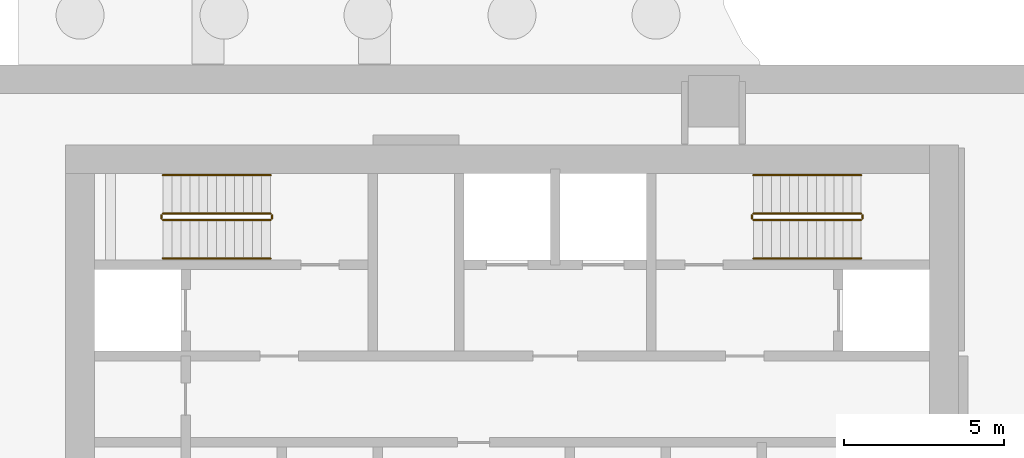
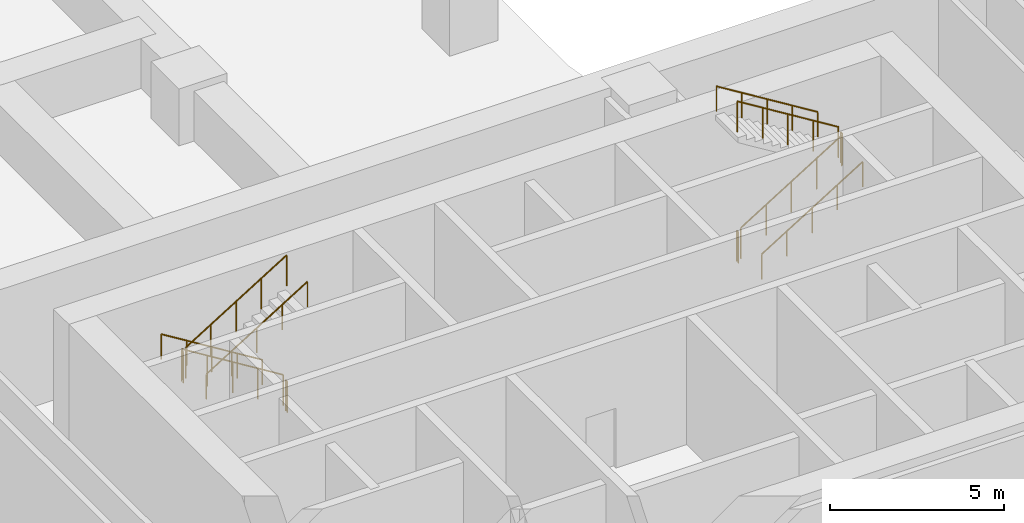
# One storey, part 13 of 14: 12 railings.
"""IFC4 building model written with IfcOpenShell, lengths in metres."""

from ifc_helpers import new_model, si_unit, direction, frame, origin, origin_2d, place, context, subcontext, project, spatial, circle, extrude, material, type_object, element, save


model = new_model("IFC4")

# Units and contexts
model_context = context("Model", 3, precision=1e-05, world=origin(), true_north=direction((0.0, 1.0)))
body_context = subcontext(model_context, "Body", "Model", "MODEL_VIEW")
ifc_project = project(units=[si_unit("LENGTHUNIT", "METRE"), si_unit("AREAUNIT", "SQUARE_METRE"), si_unit("VOLUMEUNIT", "CUBIC_METRE"), si_unit("PLANEANGLEUNIT", "RADIAN"), si_unit("MASSUNIT", "GRAM", prefix="KILO")], contexts=[model_context])

# Site, building, storey
site_placement = place(None, origin())
site = spatial("IfcSite", under=ifc_project, at=site_placement, CompositionType="ELEMENT")
building_placement = place(site_placement, origin())
building = spatial("IfcBuilding", under=site, at=building_placement, Name="Ogive Portal Towers", CompositionType="ELEMENT")
storey_placement = place(building_placement, frame((0.0, 0.0, -4.5)))
storey = spatial("IfcBuildingStorey", under=building, at=storey_placement, Name="B1", CompositionType="ELEMENT", Elevation=-4.5)

# Railings
ifc_material_1 = material(Name="Stainless steel balustrade", Category="steel")
railing_type_1 = type_object("IfcRailingType", Name="INT-GUARD", PredefinedType="GUARDRAIL", material=ifc_material_1)
railing_1_placement = place(storey_placement, frame((37.449951171875, 37.800048828125, 0.173095703125)))
element("IfcRailing", 1, at=railing_1_placement, inside=storey, type_object=railing_type_1, Name="B1 ST-A1 stair guard 1", PredefinedType="GUARDRAIL", context=body_context, shape_type="SweptSolid", body=[
    extrude(circle(Radius=0.02392578125, at=origin_2d()), frame((0.0, 0.0, 1.076171875), z_axis=(-0.850606129759, 0.0, 0.525803396734), x_axis=(0.0, -1.0, 0.0)), (0.0, 0.0, 1.0), 3.949951171875),
    extrude(circle(Radius=0.02099609375, at=origin_2d()), origin(), (0.0, 0.0, 1.0), 1.052001953125),
    extrude(circle(Radius=0.02099609375, at=origin_2d()), frame((-0.83984375, 0.0, 0.519287109375)), (0.0, 0.0, 1.0), 1.052001953125),
    extrude(circle(Radius=0.02099609375, at=origin_2d()), frame((-1.679931640625, 0.0, 1.03857421875)), (0.0, 0.0, 1.0), 1.052001953125),
    extrude(circle(Radius=0.02099609375, at=origin_2d()), frame((-2.52001953125, 0.0, 1.5576171875)), (0.0, 0.0, 1.0), 1.052001953125),
    extrude(circle(Radius=0.02099609375, at=origin_2d()), frame((-3.35986328125, 0.0, 2.076904296875)), (0.0, 0.0, 1.0), 1.052001953125),
])
railing_2_placement = place(storey_placement, frame((34.0400390625, 37.75, 2.25)))
element("IfcRailing", 2, at=railing_2_placement, inside=storey, type_object=railing_type_1, Name="B1 ST-A1 stair guard 2", PredefinedType="GUARDRAIL", context=body_context, shape_type="SweptSolid", body=[
    extrude(circle(Radius=0.02392578125, at=origin_2d()), frame((0.0, 0.0, 1.076171875), z_axis=(0.0, -1.0, 0.0), x_axis=(1.0, 0.0, 0.0)), (0.0, 0.0, 1.0), 0.10009765625),
    extrude(circle(Radius=0.02099609375, at=origin_2d()), origin(), (0.0, 0.0, 1.0), 1.052001953125),
    extrude(circle(Radius=0.02099609375, at=origin_2d()), frame((0.0, -0.10009765625, 0.0)), (0.0, 0.0, 1.0), 1.052001953125),
])
railing_3_placement = place(storey_placement, frame((34.090087890625, 37.60009765625, 2.423095703125)))
element("IfcRailing", 3, at=railing_3_placement, inside=storey, type_object=railing_type_1, Name="B1 ST-A1 stair guard 3", PredefinedType="GUARDRAIL", context=body_context, shape_type="SweptSolid", body=[
    extrude(circle(Radius=0.02392578125, at=origin_2d()), frame((0.0, 0.0, 1.076171875), z_axis=(0.850606129759, 0.0, 0.525803396734), x_axis=(0.0, 1.0, 0.0)), (0.0, 0.0, 1.0), 3.949951171875),
    extrude(circle(Radius=0.02099609375, at=origin_2d()), origin(), (0.0, 0.0, 1.0), 1.052001953125),
    extrude(circle(Radius=0.02099609375, at=origin_2d()), frame((0.83984375, 0.0, 0.519287109375)), (0.0, 0.0, 1.0), 1.052001953125),
    extrude(circle(Radius=0.02099609375, at=origin_2d()), frame((1.679931640625, 0.0, 1.03857421875)), (0.0, 0.0, 1.0), 1.052001953125),
    extrude(circle(Radius=0.02099609375, at=origin_2d()), frame((2.52001953125, 0.0, 1.5576171875)), (0.0, 0.0, 1.0), 1.052001953125),
    extrude(circle(Radius=0.02099609375, at=origin_2d()), frame((3.35986328125, 0.0, 2.076904296875)), (0.0, 0.0, 1.0), 1.052001953125),
])
railing_4_placement = place(storey_placement, frame((37.5, 37.75, 0.0)))
element("IfcRailing", 4, at=railing_4_placement, inside=storey, type_object=railing_type_1, Name="B1 ST-A1 stair guard 4", PredefinedType="GUARDRAIL", context=body_context, shape_type="SweptSolid", body=[
    extrude(circle(Radius=0.02392578125, at=origin_2d()), frame((0.0, 0.0, 1.076171875), z_axis=(0.0, -1.0, 0.0), x_axis=(1.0, 0.0, 0.0)), (0.0, 0.0, 1.0), 0.10009765625),
    extrude(circle(Radius=0.02099609375, at=origin_2d()), origin(), (0.0, 0.0, 1.0), 1.052001953125),
    extrude(circle(Radius=0.02099609375, at=origin_2d()), frame((0.0, -0.10009765625, 0.0)), (0.0, 0.0, 1.0), 1.052001953125),
])
railing_5_placement = place(storey_placement, frame((52.550048828125, 37.60009765625, 0.173095703125)))
element("IfcRailing", 5, at=railing_5_placement, inside=storey, type_object=railing_type_1, Name="B1 ST-A2 stair guard 1", PredefinedType="GUARDRAIL", context=body_context, shape_type="SweptSolid", body=[
    extrude(circle(Radius=0.02392578125, at=origin_2d()), frame((0.0, 0.0, 1.076171875), z_axis=(0.850606129759, 0.0, 0.525803396734), x_axis=(0.0, 1.0, 0.0)), (0.0, 0.0, 1.0), 3.949951171875),
    extrude(circle(Radius=0.02099609375, at=origin_2d()), origin(), (0.0, 0.0, 1.0), 1.052001953125),
    extrude(circle(Radius=0.02099609375, at=origin_2d()), frame((0.83984375, 0.0, 0.519287109375)), (0.0, 0.0, 1.0), 1.052001953125),
    extrude(circle(Radius=0.02099609375, at=origin_2d()), frame((1.679931640625, 0.0, 1.03857421875)), (0.0, 0.0, 1.0), 1.052001953125),
    extrude(circle(Radius=0.02099609375, at=origin_2d()), frame((2.52001953125, 0.0, 1.5576171875)), (0.0, 0.0, 1.0), 1.052001953125),
    extrude(circle(Radius=0.02099609375, at=origin_2d()), frame((3.35986328125, 0.0, 2.076904296875)), (0.0, 0.0, 1.0), 1.052001953125),
])
railing_6_placement = place(storey_placement, frame((55.9599609375, 37.64990234375, 2.25)))
element("IfcRailing", 6, at=railing_6_placement, inside=storey, type_object=railing_type_1, Name="B1 ST-A2 stair guard 2", PredefinedType="GUARDRAIL", context=body_context, shape_type="SweptSolid", body=[
    extrude(circle(Radius=0.02392578125, at=origin_2d()), frame((0.0, 0.0, 1.076171875), z_axis=(0.0, 1.0, 0.0), x_axis=(-1.0, 0.0, 0.0)), (0.0, 0.0, 1.0), 0.10009765625),
    extrude(circle(Radius=0.02099609375, at=origin_2d()), origin(), (0.0, 0.0, 1.0), 1.052001953125),
    extrude(circle(Radius=0.02099609375, at=origin_2d()), frame((0.0, 0.10009765625, 0.0)), (0.0, 0.0, 1.0), 1.052001953125),
])
railing_7_placement = place(storey_placement, frame((55.909912109375, 37.800048828125, 2.423095703125)))
element("IfcRailing", 7, at=railing_7_placement, inside=storey, type_object=railing_type_1, Name="B1 ST-A2 stair guard 3", PredefinedType="GUARDRAIL", context=body_context, shape_type="SweptSolid", body=[
    extrude(circle(Radius=0.02392578125, at=origin_2d()), frame((0.0, 0.0, 1.076171875), z_axis=(-0.850606129759, 0.0, 0.525803396734), x_axis=(0.0, -1.0, 0.0)), (0.0, 0.0, 1.0), 3.949951171875),
    extrude(circle(Radius=0.02099609375, at=origin_2d()), origin(), (0.0, 0.0, 1.0), 1.052001953125),
    extrude(circle(Radius=0.02099609375, at=origin_2d()), frame((-0.83984375, 0.0, 0.519287109375)), (0.0, 0.0, 1.0), 1.052001953125),
    extrude(circle(Radius=0.02099609375, at=origin_2d()), frame((-1.679931640625, 0.0, 1.03857421875)), (0.0, 0.0, 1.0), 1.052001953125),
    extrude(circle(Radius=0.02099609375, at=origin_2d()), frame((-2.52001953125, 0.0, 1.5576171875)), (0.0, 0.0, 1.0), 1.052001953125),
    extrude(circle(Radius=0.02099609375, at=origin_2d()), frame((-3.35986328125, 0.0, 2.076904296875)), (0.0, 0.0, 1.0), 1.052001953125),
])
railing_8_placement = place(storey_placement, frame((52.5, 37.64990234375, 0.0)))
element("IfcRailing", 8, at=railing_8_placement, inside=storey, type_object=railing_type_1, Name="B1 ST-A2 stair guard 4", PredefinedType="GUARDRAIL", context=body_context, shape_type="SweptSolid", body=[
    extrude(circle(Radius=0.02392578125, at=origin_2d()), frame((0.0, 0.0, 1.076171875), z_axis=(0.0, 1.0, 0.0), x_axis=(-1.0, 0.0, 0.0)), (0.0, 0.0, 1.0), 0.10009765625),
    extrude(circle(Radius=0.02099609375, at=origin_2d()), origin(), (0.0, 0.0, 1.0), 1.052001953125),
    extrude(circle(Radius=0.02099609375, at=origin_2d()), frame((0.0, 0.10009765625, 0.0)), (0.0, 0.0, 1.0), 1.052001953125),
])
ifc_material_2 = material(Name="Stainless steel handrail", Category="steel")
railing_type_2 = type_object("IfcRailingType", Name="INT-HANDRAIL", PredefinedType="HANDRAIL", material=ifc_material_2)
railing_9_placement = place(storey_placement, frame((37.449951171875, 39.0, 0.173095703125)))
element("IfcRailing", 9, at=railing_9_placement, inside=storey, type_object=railing_type_2, Name="B1 ST-A1 stair handrail 1", PredefinedType="HANDRAIL", context=body_context, shape_type="SweptSolid", body=[
    extrude(circle(Radius=0.02392578125, at=origin_2d()), frame((0.0, 0.0, 0.8759765625), z_axis=(-0.850606129759, 0.0, 0.525803396734), x_axis=(0.0, -1.0, 0.0)), (0.0, 0.0, 1.0), 3.949951171875),
    extrude(circle(Radius=0.02099609375, at=origin_2d()), origin(), (0.0, 0.0, 1.0), 0.851806640625),
    extrude(circle(Radius=0.02099609375, at=origin_2d()), frame((-0.83984375, 0.0, 0.519287109375)), (0.0, 0.0, 1.0), 0.851806640625),
    extrude(circle(Radius=0.02099609375, at=origin_2d()), frame((-1.679931640625, 0.0, 1.03857421875)), (0.0, 0.0, 1.0), 0.851806640625),
    extrude(circle(Radius=0.02099609375, at=origin_2d()), frame((-2.52001953125, 0.0, 1.5576171875)), (0.0, 0.0, 1.0), 0.851806640625),
    extrude(circle(Radius=0.02099609375, at=origin_2d()), frame((-3.35986328125, 0.0, 2.076904296875)), (0.0, 0.0, 1.0), 0.851806640625),
])
for number, where, name in (
    (10, (34.090087890625, 36.39990234375, 2.423095703125), "B1 ST-A1 stair handrail 2"),
    (11, (52.550048828125, 36.39990234375, 0.173095703125), "B1 ST-A2 stair handrail 1"),
):
    element("IfcRailing", number, at=place(storey_placement, frame(where)), inside=storey, type_object=railing_type_2, Name=name, PredefinedType="HANDRAIL", context=body_context, shape_type="SweptSolid", body=[
        extrude(circle(Radius=0.02392578125, at=origin_2d()), frame((0.0, 0.0, 0.8759765625), z_axis=(0.850606129759, 0.0, 0.525803396734), x_axis=(0.0, 1.0, 0.0)), (0.0, 0.0, 1.0), 3.949951171875),
        extrude(circle(Radius=0.02099609375, at=origin_2d()), origin(), (0.0, 0.0, 1.0), 0.851806640625),
        extrude(circle(Radius=0.02099609375, at=origin_2d()), frame((0.83984375, 0.0, 0.519287109375)), (0.0, 0.0, 1.0), 0.851806640625),
        extrude(circle(Radius=0.02099609375, at=origin_2d()), frame((1.679931640625, 0.0, 1.03857421875)), (0.0, 0.0, 1.0), 0.851806640625),
        extrude(circle(Radius=0.02099609375, at=origin_2d()), frame((2.52001953125, 0.0, 1.5576171875)), (0.0, 0.0, 1.0), 0.851806640625),
        extrude(circle(Radius=0.02099609375, at=origin_2d()), frame((3.35986328125, 0.0, 2.076904296875)), (0.0, 0.0, 1.0), 0.851806640625),
    ])
railing_10_placement = place(storey_placement, frame((55.909912109375, 39.0, 2.423095703125)))
element("IfcRailing", 12, at=railing_10_placement, inside=storey, type_object=railing_type_2, Name="B1 ST-A2 stair handrail 2", PredefinedType="HANDRAIL", context=body_context, shape_type="SweptSolid", body=[
    extrude(circle(Radius=0.02392578125, at=origin_2d()), frame((0.0, 0.0, 0.8759765625), z_axis=(-0.850606129759, 0.0, 0.525803396734), x_axis=(0.0, -1.0, 0.0)), (0.0, 0.0, 1.0), 3.949951171875),
    extrude(circle(Radius=0.02099609375, at=origin_2d()), origin(), (0.0, 0.0, 1.0), 0.851806640625),
    extrude(circle(Radius=0.02099609375, at=origin_2d()), frame((-0.83984375, 0.0, 0.519287109375)), (0.0, 0.0, 1.0), 0.851806640625),
    extrude(circle(Radius=0.02099609375, at=origin_2d()), frame((-1.679931640625, 0.0, 1.03857421875)), (0.0, 0.0, 1.0), 0.851806640625),
    extrude(circle(Radius=0.02099609375, at=origin_2d()), frame((-2.52001953125, 0.0, 1.5576171875)), (0.0, 0.0, 1.0), 0.851806640625),
    extrude(circle(Radius=0.02099609375, at=origin_2d()), frame((-3.35986328125, 0.0, 2.076904296875)), (0.0, 0.0, 1.0), 0.851806640625),
])

save(model, "model.ifc")
